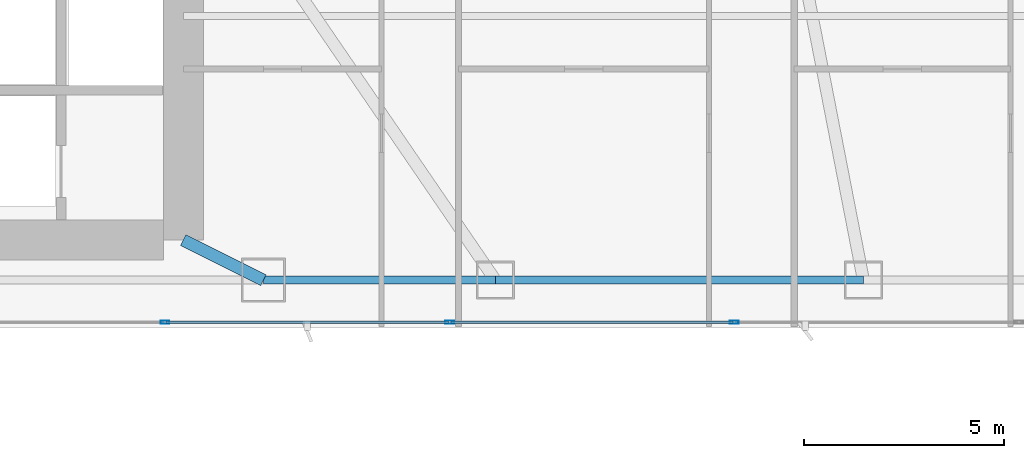
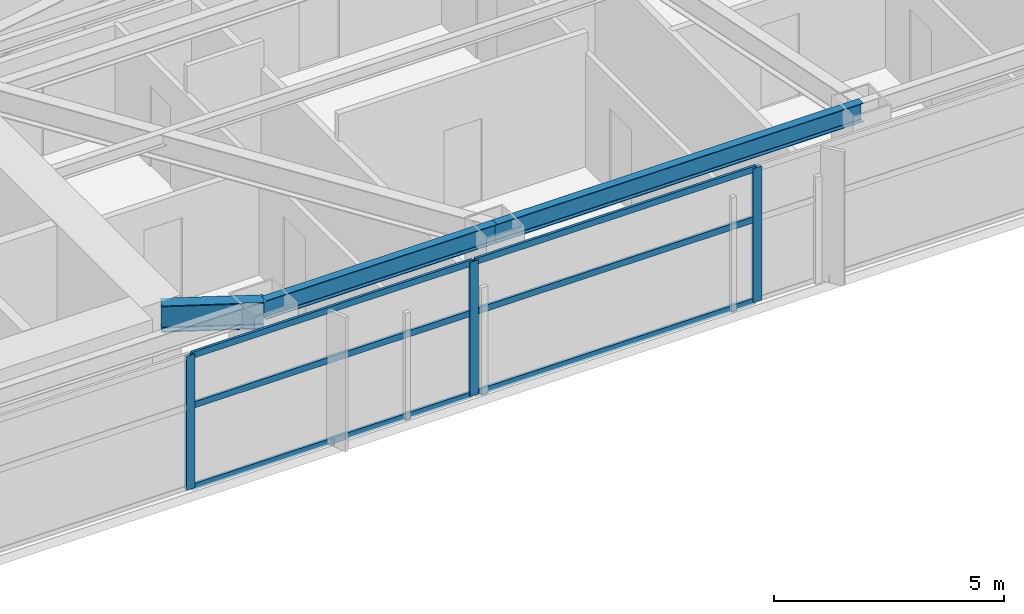
# One storey, part 12 of 30: 9 members, 3 beams, 1 element without a shape of its own.
"""IFC4 building model written with IfcOpenShell, lengths in metres."""

import ifcopenshell
import ifcopenshell.guid

model = None  # the IFC model being written
_history = None  # IfcOwnerHistory: only IFC2X3 demands one
_inside = {}  # id of a spatial element -> (the spatial element, [elements in it])
_under = {}  # id of a project, library or spatial element -> (it, [spatial elements below it])
_declared = {}  # id of a project -> (the project, [libraries it declares])
_typed = {}  # id of a type object -> (the type object, [elements of that type])
_made_of = {}  # id of a material, layer set ... -> (it, [elements and type objects made of it])


def new_model(schema):
    """Start an empty IFC model of exactly this schema.

    Asked for "IFC4X3", IfcOpenShell would pick the latest addendum, in which some entities
    have other attributes; the version numbers below select the first issue.
    IFC2X3 requires an IfcOwnerHistory on every rooted entity: one is made here for all.
    """
    global model, _history
    if schema == "IFC4X3":
        model = ifcopenshell.file(schema_version=(4, 3, 0, 0))
    else:
        model = ifcopenshell.file(schema=schema)
    _inside.clear()
    _under.clear()
    _declared.clear()
    _typed.clear()
    _made_of.clear()
    _history = None
    if model.schema == "IFC2X3":
        org = make("IfcOrganization", Name="unknown")
        user = make(
            "IfcPersonAndOrganization",
            ThePerson=make("IfcPerson", FamilyName="unknown"),
            TheOrganization=org,
        )
        app = make(
            "IfcApplication",
            ApplicationDeveloper=org,
            Version="unknown",
            ApplicationFullName="unknown",
            ApplicationIdentifier="unknown",
        )
        _history = make(
            "IfcOwnerHistory",
            OwningUser=user,
            OwningApplication=app,
            ChangeAction="ADDED",
            CreationDate=0,
        )
    return model


def make(cls, **values):
    """One entity of the class cls with the attributes given. An attribute that is None is left unset."""
    return model.create_entity(
        cls, **{name: value for name, value in values.items() if value is not None}
    )


def rooted(cls, **values):
    """An entity with a GlobalId (a new one), such as an element, a storey or a relation."""
    return make(cls, GlobalId=ifcopenshell.guid.new(), OwnerHistory=_history, **values)


def si_unit(unit_type, name, prefix=None):
    """IfcSIUnit, for example si_unit("LENGTHUNIT", "METRE", prefix="MILLI")."""
    return make("IfcSIUnit", UnitType=unit_type, Prefix=prefix, Name=name)


def assignment(units):
    """IfcUnitAssignment: the units of a project."""
    return None if units is None else make("IfcUnitAssignment", Units=units)


def point(xyz):
    """IfcCartesianPoint."""
    return None if xyz is None else make("IfcCartesianPoint", Coordinates=xyz)


def direction(xyz):
    """IfcDirection."""
    return None if xyz is None else make("IfcDirection", DirectionRatios=xyz)


def frame(location, z_axis=None, x_axis=None):
    """IfcAxis2Placement3D, a coordinate frame: its origin and axes. An axis left out is left unset."""
    return make(
        "IfcAxis2Placement3D",
        Location=point(location),
        Axis=direction(z_axis),
        RefDirection=direction(x_axis),
    )


def frame_2d(location, x_axis=None):
    """IfcAxis2Placement2D, a coordinate frame in the plane: its origin and x axis."""
    return make(
        "IfcAxis2Placement2D", Location=point(location), RefDirection=direction(x_axis)
    )


def origin():
    """The frame at (0, 0, 0) with its axes left unset."""
    return frame((0.0, 0.0, 0.0))


def origin_2d():
    """The frame at (0, 0) in the plane with its x axis left unset."""
    return frame_2d((0.0, 0.0))


def place(relative_to, where):
    """IfcLocalPlacement: puts the frame where relative to a parent placement (None: the world)."""
    return make(
        "IfcLocalPlacement", PlacementRelTo=relative_to, RelativePlacement=where
    )


def context(
    kind, dimensions, precision=None, world=None, true_north=None, identifier=None
):
    """IfcGeometricRepresentationContext, for example the 3D "Model" context."""
    return make(
        "IfcGeometricRepresentationContext",
        ContextIdentifier=identifier,
        ContextType=kind,
        CoordinateSpaceDimension=dimensions,
        Precision=precision,
        WorldCoordinateSystem=world,
        TrueNorth=true_north,
    )


def subcontext(parent, identifier, kind, view, scale=None):
    """IfcGeometricRepresentationSubContext, for example "Body" below "Model"."""
    return make(
        "IfcGeometricRepresentationSubContext",
        ContextIdentifier=identifier,
        ContextType=kind,
        ParentContext=parent,
        TargetScale=scale,
        TargetView=view,
    )


def project(units=None, contexts=None):
    """IfcProject with its units and contexts."""
    return rooted(
        "IfcProject",
        Name="project",
        RepresentationContexts=contexts,
        UnitsInContext=assignment(units),
    )


def spatial(cls, under=None, at=None, **own):
    """A site, building, storey or space (cls), placed at a placement, below another one or the project."""
    s = rooted(cls, ObjectPlacement=at, **own)
    if under is not None:
        _under.setdefault(under.id(), (under, []))[1].append(s)
    return s


def profile(cls, at=None, kind="AREA", **sizes):
    """A parametric profile (cls). Its sizes go by their IFC names, for example OverallWidth=200.0."""
    return make(cls, ProfileType=kind, Position=at, **sizes)


def hollow_rectangle(**sizes):
    """IfcRectangleHollowProfileDef."""
    return profile("IfcRectangleHollowProfileDef", **sizes)


def i_section(**sizes):
    """IfcIShapeProfileDef."""
    return profile("IfcIShapeProfileDef", **sizes)


def extrude(swept, where, along, depth):
    """IfcExtrudedAreaSolid: the profile swept, set in the frame where, extruded along a direction by depth."""
    return make(
        "IfcExtrudedAreaSolid",
        SweptArea=swept,
        Position=where,
        ExtrudedDirection=direction(along),
        Depth=depth,
    )


def shape(context_of_items, identifier, shape_type, items):
    """IfcShapeRepresentation: the items that make up one representation, for example the "Body"."""
    return make(
        "IfcShapeRepresentation",
        ContextOfItems=context_of_items,
        RepresentationIdentifier=identifier,
        RepresentationType=shape_type,
        Items=items,
    )


def material(Name=None, Category=None):
    """IfcMaterial."""
    return make("IfcMaterial", Name=Name, Category=Category)


def layer(
    of_material, thickness, ventilated=None, Name=None, Category=None, Priority=None
):
    """IfcMaterialLayer: one layer of a wall or slab, of a material (None: an air gap)."""
    return make(
        "IfcMaterialLayer",
        Material=of_material,
        LayerThickness=thickness,
        IsVentilated=ventilated,
        Name=Name,
        Category=Category,
        Priority=Priority,
    )


def layer_set(layers, Name=None):
    """IfcMaterialLayerSet."""
    return make("IfcMaterialLayerSet", MaterialLayers=layers, LayerSetName=Name)


def material_profile(
    of_material, cross_section, Name=None, Category=None, Priority=None
):
    """IfcMaterialProfile: a cross section and its material."""
    return make(
        "IfcMaterialProfile",
        Name=Name,
        Material=of_material,
        Profile=cross_section,
        Priority=Priority,
        Category=Category,
    )


def profile_set(profiles, Name=None, composite=None):
    """IfcMaterialProfileSet."""
    return make(
        "IfcMaterialProfileSet",
        Name=Name,
        MaterialProfiles=profiles,
        CompositeProfile=composite,
    )


def made_of(thing, what):
    """Note that an element or type object is made of a material, layer set ...; save() writes the relation."""
    if what is not None:
        _made_of.setdefault(what.id(), (what, []))[1].append(thing)
    return thing


def type_object(cls, material=None, **own):
    """A type object (cls), such as IfcWallType, which elements share."""
    return made_of(rooted(cls, **own), material)


def element(
    cls,
    number,
    at=None,
    inside=None,
    cuts=None,
    type_object=None,
    material=None,
    context=None,
    identifier="Body",
    shape_type=None,
    held_by="IfcProductDefinitionShape",
    body=None,
    shapes=None,
    **own,
):
    """One element of the class cls, such as IfcWall. Its Tag is "e" and its number.

    at: its placement. inside: the storey or other place that contains it. cuts: it is an
    opening in that element (IfcRelVoidsElement). A single representation is given by context,
    identifier, shape_type and body (its items); several are given by shapes. held_by: the class
    of the entity that holds the representations. save() writes the other relations.
    """
    e = rooted(cls, Tag="e%d" % number, ObjectPlacement=at, **own)
    if body is not None:
        shapes = [shape(context, identifier, shape_type, body)]
    if shapes is not None:
        e.Representation = make(held_by, Representations=shapes)
    if inside is not None:
        _inside.setdefault(inside.id(), (inside, []))[1].append(e)
    if cuts is not None:
        rooted(
            "IfcRelVoidsElement", RelatingBuildingElement=cuts, RelatedOpeningElement=e
        )
    if type_object is not None:
        _typed.setdefault(type_object.id(), (type_object, []))[1].append(e)
    return made_of(e, material)


def aggregate(whole, parts):
    """IfcRelAggregates: a whole, such as a stair, and the parts it consists of."""
    return rooted("IfcRelAggregates", RelatingObject=whole, RelatedObjects=parts)


def save(model, path):
    """Write the relations noted so far, then the file.

    IfcRelAggregates (storeys below a building ...), IfcRelContainedInSpatialStructure (elements
    in a storey), IfcRelDefinesByType, IfcRelAssociatesMaterial and IfcRelDeclares: one each for
    every whole, place, type object, material and project.
    """
    for whole, parts in _under.values():
        aggregate(whole, parts)
    for where, things in _inside.values():
        rooted(
            "IfcRelContainedInSpatialStructure",
            RelatedElements=things,
            RelatingStructure=where,
        )
    for kind, things in _typed.values():
        rooted("IfcRelDefinesByType", RelatedObjects=things, RelatingType=kind)
    for what, things in _made_of.values():
        rooted("IfcRelAssociatesMaterial", RelatedObjects=things, RelatingMaterial=what)
    for by, libraries in _declared.values():
        rooted("IfcRelDeclares", RelatingContext=by, RelatedDefinitions=libraries)
    model.write(path)


model = new_model("IFC4")

# Units and contexts
model_context = context("Model", 3, precision=1e-05, world=origin(), true_north=direction((0.0, 1.0)))
body_context = subcontext(model_context, "Body", "Model", "MODEL_VIEW")
ifc_project = project(units=[si_unit("LENGTHUNIT", "METRE"), si_unit("AREAUNIT", "SQUARE_METRE"), si_unit("VOLUMEUNIT", "CUBIC_METRE"), si_unit("PLANEANGLEUNIT", "RADIAN"), si_unit("MASSUNIT", "GRAM", prefix="KILO")], contexts=[model_context])

# Site, building, storey
site_placement = place(None, origin())
site = spatial("IfcSite", under=ifc_project, at=site_placement, CompositionType="ELEMENT")
building_placement = place(site_placement, origin())
building = spatial("IfcBuilding", under=site, at=building_placement, Name="Calvorn Quay Hotel", CompositionType="ELEMENT")
storey_placement = place(building_placement, frame((0.0, 0.0, 30.800048828125)))
storey = spatial("IfcBuildingStorey", under=building, at=storey_placement, Name="L06", CompositionType="ELEMENT", Elevation=30.800048828125)

# Beams
ifc_material_1 = material(Name="Steel Q390GJC", Category="steel")
ifc_material_profile_1 = material_profile(ifc_material_1, i_section(OverallWidth=0.300048828125, OverallDepth=0.699951171875, WebThickness=0.012939453125, FlangeThickness=0.02392578125, FilletRadius=0.02392578125, at=origin_2d()), Name="HN700x300x13x24")
ifc_profile_set_1 = profile_set([ifc_material_profile_1], Name="Steel Q390GJC")
beam_type_1 = type_object("IfcBeamType", Name="BM-GIRD-MAIN", PredefinedType="BEAM", material=ifc_profile_set_1)
beam_1_placement = place(storey_placement, frame((34.39990234375, 3.60009765625, 3.18994140625), z_axis=(-0.894427191, 0.4472135955, 0.0), x_axis=(-0.4472135955, -0.894427191, 0.0)))
element("IfcBeam", 1, at=beam_1_placement, inside=storey, type_object=beam_type_1, Name="Beam BG-L06-S3", PredefinedType="BEAM", context=body_context, shape_type="SweptSolid", body=[
    extrude(i_section(OverallWidth=0.300048828125, OverallDepth=0.699951171875, WebThickness=0.012939453125, FlangeThickness=0.02392578125, FilletRadius=0.02392578125, at=origin_2d()), origin(), (0.0, 0.0, 1.0), 2.236083984375),
])
ifc_material_2 = material(Name="Steel Q355B", Category="steel")
ifc_material_profile_2 = material_profile(ifc_material_2, i_section(OverallWidth=0.199951171875, OverallDepth=0.5, WebThickness=0.010009765625, FlangeThickness=0.01611328125, FilletRadius=0.01611328125, at=origin_2d()), Name="HN500x200x10x16")
ifc_profile_set_2 = profile_set([ifc_material_profile_2], Name="Steel Q355B")
beam_type_2 = type_object("IfcBeamType", Name="BM-SPANDREL-Z1", PredefinedType="SPANDREL", material=ifc_profile_set_2)
beam_2_placement = place(storey_placement, frame((34.39990234375, 3.60009765625, 3.2900390625), z_axis=(1.0, 0.0, 0.0), x_axis=(0.0, 1.0, 0.0)))
element("IfcBeam", 2, at=beam_2_placement, inside=storey, type_object=beam_type_2, Name="Beam BSP-L06-S4", PredefinedType="SPANDREL", context=body_context, shape_type="SweptSolid", body=[
    extrude(i_section(OverallWidth=0.199951171875, OverallDepth=0.5, WebThickness=0.010009765625, FlangeThickness=0.01611328125, FilletRadius=0.01611328125, at=origin_2d()), origin(), (0.0, 0.0, 1.0), 5.800048828125),
])
beam_3_placement = place(storey_placement, frame((40.199951171875, 3.60009765625, 3.2900390625), z_axis=(1.0, 0.0, 0.0), x_axis=(0.0, 1.0, 0.0)))
element("IfcBeam", 3, at=beam_3_placement, inside=storey, type_object=beam_type_2, Name="Beam BSP-L06-S5", PredefinedType="SPANDREL", context=body_context, shape_type="SweptSolid", body=[
    extrude(i_section(OverallWidth=0.199951171875, OverallDepth=0.5, WebThickness=0.010009765625, FlangeThickness=0.01611328125, FilletRadius=0.01611328125, at=origin_2d()), origin(), (0.0, 0.0, 1.0), 9.199951171875),
])

# Curtain wall, members
ifc_material_3 = material(Name="Pale Anodised Aluminium and Low-E Glass", Category="aluminium")
ifc_layer = layer(ifc_material_3, 0.219970703125)
ifc_layer_set = layer_set([ifc_layer], Name="CW-SYS-Z1")
curtain_wall_type = type_object("IfcCurtainWallType", Name="CW-SYS-Z1", PredefinedType="NOTDEFINED", material=ifc_layer_set)
curtain_wall_placement = place(storey_placement, origin())
curtain_wall = element("IfcCurtainWall", 4, at=curtain_wall_placement, inside=storey, type_object=curtain_wall_type, Name="Tower South Waterfront Curtain Wall (L06)", PredefinedType="NOTDEFINED")
ifc_material_4 = material(Name="Pale Anodised Aluminium 6063-T6", Category="aluminium")
ifc_material_profile_3 = material_profile(ifc_material_4, hollow_rectangle(XDim=0.074951171875, YDim=0.219970703125, WallThickness=0.00439453125, at=origin_2d()), Name="ALU-M220x75x4.5")
ifc_profile_set_3 = profile_set([ifc_material_profile_3], Name="Pale Anodised Aluminium 6063-T6")
member_type_1 = type_object("IfcMemberType", Name="CW-SYS-Z1-MUL", PredefinedType="MULLION", material=ifc_profile_set_3)
member_1_placement = place(storey_placement, frame((31.94287109375, 2.550048828125, 0.0), z_axis=(0.0, 0.0, 1.0), x_axis=(0.0, 1.0, 0.0)))
member_1 = element("IfcMember", 5, at=member_1_placement, type_object=member_type_1, Name="CW-L06-S mullion 4", PredefinedType="MULLION", context=body_context, shape_type="SweptSolid", body=[
    extrude(hollow_rectangle(XDim=0.074951171875, YDim=0.219970703125, WallThickness=0.00439453125, at=origin_2d()), origin(), (0.0, 0.0, 1.0), 3.56005859375),
])
member_2_placement = place(storey_placement, frame((39.05712890625, 2.550048828125, 0.0), z_axis=(0.0, 0.0, 1.0), x_axis=(0.0, 1.0, 0.0)))
member_2 = element("IfcMember", 6, at=member_2_placement, type_object=member_type_1, Name="CW-L06-S mullion 5", PredefinedType="MULLION", context=body_context, shape_type="SweptSolid", body=[
    extrude(hollow_rectangle(XDim=0.074951171875, YDim=0.219970703125, WallThickness=0.00439453125, at=origin_2d()), origin(), (0.0, 0.0, 1.0), 3.56005859375),
])
member_3_placement = place(storey_placement, frame((46.17138671875, 2.550048828125, 0.0), z_axis=(0.0, 0.0, 1.0), x_axis=(0.0, 1.0, 0.0)))
member_3 = element("IfcMember", 7, at=member_3_placement, type_object=member_type_1, Name="CW-L06-S mullion 6", PredefinedType="MULLION", context=body_context, shape_type="SweptSolid", body=[
    extrude(hollow_rectangle(XDim=0.074951171875, YDim=0.219970703125, WallThickness=0.00439453125, at=origin_2d()), origin(), (0.0, 0.0, 1.0), 3.56005859375),
])
ifc_material_5 = material(Name="Pale Anodised Aluminium 6063-T6", Category="aluminium")
ifc_material_profile_4 = material_profile(ifc_material_5, hollow_rectangle(XDim=0.06494140625, YDim=0.1650390625, WallThickness=0.00341796875, at=origin_2d()), Name="ALU-T165x65x3.5")
ifc_profile_set_4 = profile_set([ifc_material_profile_4], Name="Pale Anodised Aluminium 6063-T6")
member_type_2 = type_object("IfcMemberType", Name="CW-SYS-Z1-TRN", PredefinedType="USERDEFINED", material=ifc_profile_set_4)
member_4_placement = place(storey_placement, frame((31.972900390625, 2.550048828125, 0.030029296875), z_axis=(1.0, 0.0, 0.0), x_axis=(0.0, 1.0, 0.0)))
member_4 = element("IfcMember", 8, at=member_4_placement, type_object=member_type_2, Name="CW-L06-S transom 4.1", ObjectType="TRANSOM", PredefinedType="USERDEFINED", context=body_context, shape_type="SweptSolid", body=[
    extrude(hollow_rectangle(XDim=0.06494140625, YDim=0.1650390625, WallThickness=0.00341796875, at=origin_2d()), origin(), (0.0, 0.0, 1.0), 7.05419921875),
])
member_5_placement = place(storey_placement, frame((31.972900390625, 2.550048828125, 2.199951171875), z_axis=(1.0, 0.0, 0.0), x_axis=(0.0, 1.0, 0.0)))
member_5 = element("IfcMember", 9, at=member_5_placement, type_object=member_type_2, Name="CW-L06-S transom 4.2", ObjectType="TRANSOM", PredefinedType="USERDEFINED", context=body_context, shape_type="SweptSolid", body=[
    extrude(hollow_rectangle(XDim=0.06494140625, YDim=0.1650390625, WallThickness=0.00341796875, at=origin_2d()), origin(), (0.0, 0.0, 1.0), 7.05419921875),
])
member_6_placement = place(storey_placement, frame((31.972900390625, 2.550048828125, 3.530029296875), z_axis=(1.0, 0.0, 0.0), x_axis=(0.0, 1.0, 0.0)))
member_6 = element("IfcMember", 10, at=member_6_placement, type_object=member_type_2, Name="CW-L06-S transom 4.3", ObjectType="TRANSOM", PredefinedType="USERDEFINED", context=body_context, shape_type="SweptSolid", body=[
    extrude(hollow_rectangle(XDim=0.06494140625, YDim=0.1650390625, WallThickness=0.00341796875, at=origin_2d()), origin(), (0.0, 0.0, 1.0), 7.05419921875),
])
member_7_placement = place(storey_placement, frame((39.087158203125, 2.550048828125, 0.030029296875), z_axis=(1.0, 0.0, 0.0), x_axis=(0.0, 1.0, 0.0)))
member_7 = element("IfcMember", 11, at=member_7_placement, type_object=member_type_2, Name="CW-L06-S transom 5.1", ObjectType="TRANSOM", PredefinedType="USERDEFINED", context=body_context, shape_type="SweptSolid", body=[
    extrude(hollow_rectangle(XDim=0.06494140625, YDim=0.1650390625, WallThickness=0.00341796875, at=origin_2d()), origin(), (0.0, 0.0, 1.0), 7.05419921875),
])
member_8_placement = place(storey_placement, frame((39.087158203125, 2.550048828125, 2.199951171875), z_axis=(1.0, 0.0, 0.0), x_axis=(0.0, 1.0, 0.0)))
member_8 = element("IfcMember", 12, at=member_8_placement, type_object=member_type_2, Name="CW-L06-S transom 5.2", ObjectType="TRANSOM", PredefinedType="USERDEFINED", context=body_context, shape_type="SweptSolid", body=[
    extrude(hollow_rectangle(XDim=0.06494140625, YDim=0.1650390625, WallThickness=0.00341796875, at=origin_2d()), origin(), (0.0, 0.0, 1.0), 7.05419921875),
])
member_9_placement = place(storey_placement, frame((39.087158203125, 2.550048828125, 3.530029296875), z_axis=(1.0, 0.0, 0.0), x_axis=(0.0, 1.0, 0.0)))
member_9 = element("IfcMember", 13, at=member_9_placement, type_object=member_type_2, Name="CW-L06-S transom 5.3", ObjectType="TRANSOM", PredefinedType="USERDEFINED", context=body_context, shape_type="SweptSolid", body=[
    extrude(hollow_rectangle(XDim=0.06494140625, YDim=0.1650390625, WallThickness=0.00341796875, at=origin_2d()), origin(), (0.0, 0.0, 1.0), 7.05419921875),
])
aggregate(curtain_wall, [member_1, member_2, member_3, member_4, member_5, member_6, member_7, member_8, member_9])

save(model, "model.ifc")
